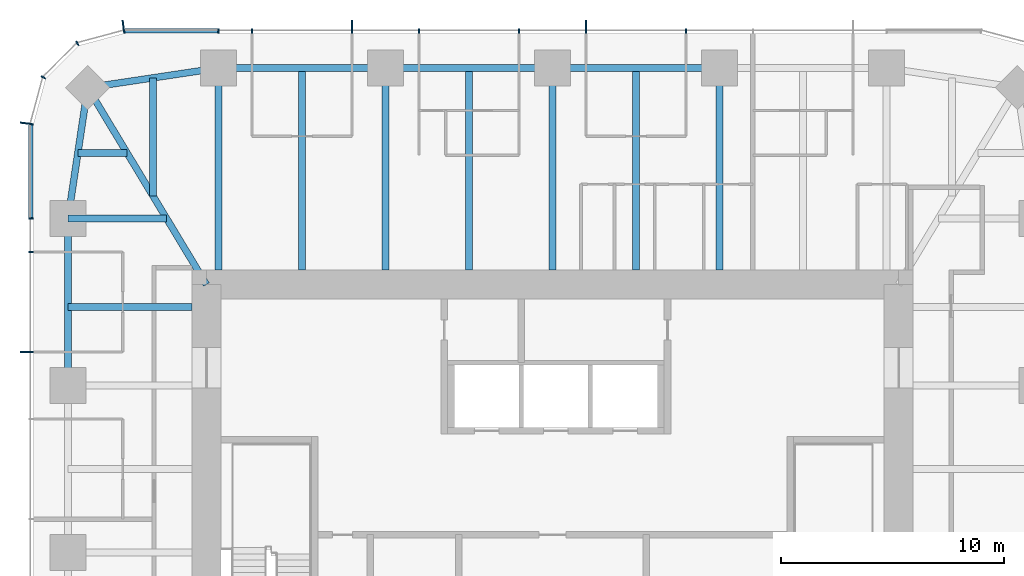
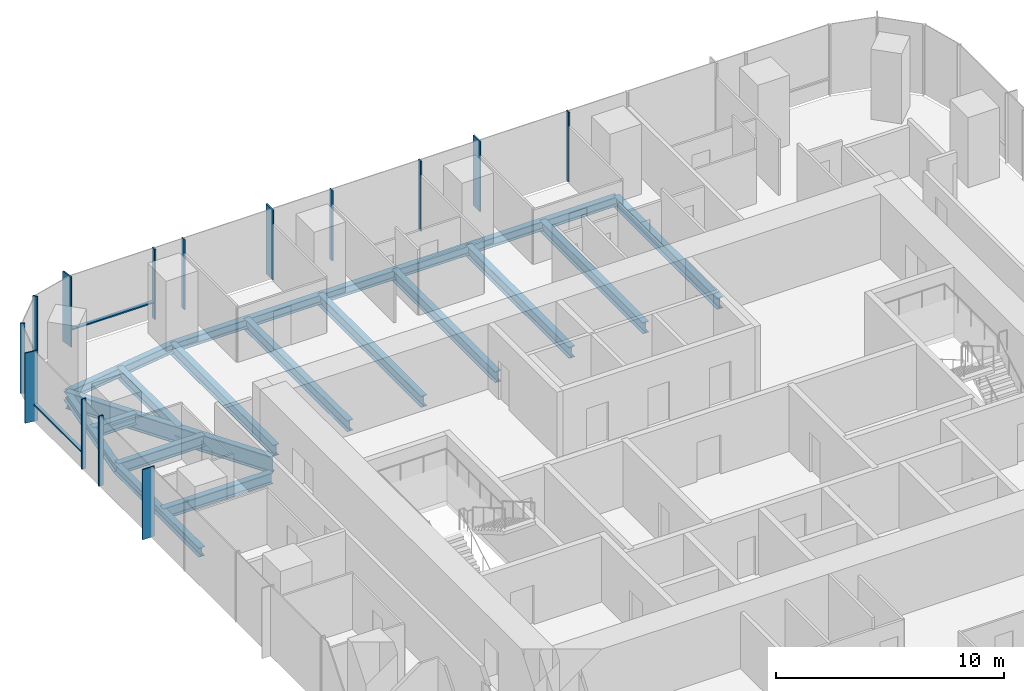
# One storey, part 5 of 12: 18 beams, 16 members, 3 elements without a shape of their own.
"""IFC4 building model written with IfcOpenShell, lengths in metres."""

from ifc_helpers import new_model, si_unit, direction, frame, origin, origin_2d, place, context, subcontext, project, spatial, rectangle, i_section, extrude, material, material_profile, profile_set, type_object, element, aggregate, save


model = new_model("IFC4")

# Units and contexts
model_context = context("Model", 3, precision=1e-05, world=origin(), true_north=direction((0.0, 1.0)))
body_context = subcontext(model_context, "Body", "Model", "MODEL_VIEW")
ifc_project = project(units=[si_unit("LENGTHUNIT", "METRE"), si_unit("AREAUNIT", "SQUARE_METRE"), si_unit("VOLUMEUNIT", "CUBIC_METRE"), si_unit("PLANEANGLEUNIT", "RADIAN"), si_unit("MASSUNIT", "GRAM", prefix="KILO")], contexts=[model_context])

# Site, building, storey
site_placement = place(None, origin())
site = spatial("IfcSite", under=ifc_project, at=site_placement, CompositionType="ELEMENT")
building_placement = place(site_placement, origin())
building = spatial("IfcBuilding", under=site, at=building_placement, Name="Khuree Lantern Residences", CompositionType="ELEMENT")
storey_placement = place(building_placement, frame((0.0, 0.0, 319.5)))
storey = spatial("IfcBuildingStorey", under=building, at=storey_placement, Name="L80", CompositionType="ELEMENT", Elevation=319.5)

# Beams
ifc_material_1 = material(Name="Steel S355", Category="steel")
ifc_material_profile_1 = material_profile(ifc_material_1, i_section(OverallWidth=0.300048828125, OverallDepth=0.590087890625, WebThickness=0.012939453125, FlangeThickness=0.02490234375, FilletRadius=0.027099609375, at=origin_2d()), Name="HE 600 A")
ifc_profile_set_1 = profile_set([ifc_material_profile_1], Name="Steel S355")
beam_type_1 = type_object("IfcBeamType", Name="B-43 SECONDARY BEAM HE 600 A", PredefinedType="BEAM", material=ifc_profile_set_1)
for number, where, z_axis, x_axis, name in (
    (1, (-11.219970703125, 21.699951171875, -0.544921875), (0.0, -1.0, 0.0), (1.0, 0.0, 0.0), "Secondary beam N1"),
    (2, (-3.739990234375, 21.699951171875, -0.544921875), (0.0, -1.0, 0.0), (1.0, 0.0, 0.0), "Secondary beam N2"),
    (3, (3.739990234375, 21.699951171875, -0.544921875), (0.0, -1.0, 0.0), (1.0, 0.0, 0.0), "Secondary beam N3"),
):
    element("IfcBeam", number, at=place(storey_placement, frame(where, z_axis=z_axis, x_axis=x_axis)), inside=storey, type_object=beam_type_1, Name=name, PredefinedType="BEAM", context=body_context, shape_type="SweptSolid", body=[
        extrude(i_section(OverallWidth=0.300048828125, OverallDepth=0.590087890625, WebThickness=0.012939453125, FlangeThickness=0.02490234375, FilletRadius=0.027099609375, at=origin_2d()), origin(), (0.0, 0.0, 1.0), 9.050048828125),
    ])
beam_1_placement = place(storey_placement, frame((-21.699951171875, 11.0, -0.544921875), z_axis=(1.0, 0.0, 0.0), x_axis=(0.0, 1.0, 0.0)))
element("IfcBeam", 4, at=beam_1_placement, inside=storey, type_object=beam_type_1, Name="Secondary beam W5", PredefinedType="BEAM", context=body_context, shape_type="SweptSolid", body=[
    extrude(i_section(OverallWidth=0.300048828125, OverallDepth=0.590087890625, WebThickness=0.012939453125, FlangeThickness=0.02490234375, FilletRadius=0.027099609375, at=origin_2d()), origin(), (0.0, 0.0, 1.0), 5.550048828125),
])
beam_2_placement = place(storey_placement, frame((-21.2607421875, 17.890625, -0.544921875), z_axis=(1.0, 0.0, 0.0), x_axis=(0.0, 1.0, 0.0)))
element("IfcBeam", 5, at=beam_2_placement, inside=storey, type_object=beam_type_1, Name="Secondary beam W6", PredefinedType="BEAM", context=body_context, shape_type="SweptSolid", body=[
    extrude(i_section(OverallWidth=0.300048828125, OverallDepth=0.590087890625, WebThickness=0.012939453125, FlangeThickness=0.02490234375, FilletRadius=0.027099609375, at=origin_2d()), origin(), (0.0, 0.0, 1.0), 2.207275390625),
])
beam_3_placement = place(storey_placement, frame((-17.890625, 21.2607421875, -0.544921875), z_axis=(0.0, -1.0, 0.0), x_axis=(1.0, 0.0, 0.0)))
element("IfcBeam", 6, at=beam_3_placement, inside=storey, type_object=beam_type_1, Name="Secondary beam N6", PredefinedType="BEAM", context=body_context, shape_type="SweptSolid", body=[
    extrude(i_section(OverallWidth=0.300048828125, OverallDepth=0.590087890625, WebThickness=0.012939453125, FlangeThickness=0.02490234375, FilletRadius=0.027099609375, at=origin_2d()), origin(), (0.0, 0.0, 1.0), 5.297607421875),
])
ifc_material_profile_2 = material_profile(ifc_material_1, i_section(OverallWidth=0.300048828125, OverallDepth=0.489990234375, WebThickness=0.011962890625, FlangeThickness=0.02294921875, FilletRadius=0.027099609375, at=origin_2d()), Name="HE 500 A")
ifc_profile_set_2 = profile_set([ifc_material_profile_2], Name="Steel S355")
beam_type_2 = type_object("IfcBeamType", Name="E-43 SPANDREL BEAM HE 500 A", PredefinedType="SPANDREL", material=ifc_profile_set_2)
for number, where, z_axis, x_axis, name in (
    (7, (-14.9599609375, 21.699951171875, -0.4951171875), (1.0, 0.0, 0.0), (0.0, 1.0, 0.0), "Spandrel beam N1"),
    (8, (-7.47998046875, 21.699951171875, -0.4951171875), (1.0, 0.0, 0.0), (0.0, 1.0, 0.0), "Spandrel beam N2"),
    (9, (0.0, 21.699951171875, -0.4951171875), (1.0, 0.0, 0.0), (0.0, 1.0, 0.0), "Spandrel beam N3"),
    (10, (-21.699951171875, 7.47998046875, -0.4951171875), (0.0, 1.0, 0.0), (-1.0, 0.0, 0.0), "Spandrel beam W5"),
):
    element("IfcBeam", number, at=place(storey_placement, frame(where, z_axis=z_axis, x_axis=x_axis)), inside=storey, type_object=beam_type_2, Name=name, PredefinedType="SPANDREL", context=body_context, shape_type="SweptSolid", body=[
        extrude(i_section(OverallWidth=0.300048828125, OverallDepth=0.489990234375, WebThickness=0.011962890625, FlangeThickness=0.02294921875, FilletRadius=0.027099609375, at=origin_2d()), origin(), (0.0, 0.0, 1.0), 7.47998046875),
    ])
for number, where, z_axis, x_axis, name in (
    (11, (-21.699951171875, 14.9599609375, -0.4951171875), (0.148251822985, 0.988949643299, 0.0), (-0.988949643299, 0.148251822985, 0.0), "Spandrel beam W6"),
    (12, (-20.8212890625, 20.8212890625, -0.4951171875), (0.988949643299, 0.148251822985, 0.0), (-0.148251822985, 0.988949643299, 0.0), "Spandrel beam N6"),
):
    element("IfcBeam", number, at=place(storey_placement, frame(where, z_axis=z_axis, x_axis=x_axis)), inside=storey, type_object=beam_type_2, Name=name, PredefinedType="SPANDREL", context=body_context, shape_type="SweptSolid", body=[
        extrude(i_section(OverallWidth=0.300048828125, OverallDepth=0.489990234375, WebThickness=0.011962890625, FlangeThickness=0.02294921875, FilletRadius=0.027099609375, at=origin_2d()), origin(), (0.0, 0.0, 1.0), 5.9267578125),
    ])

# Curtain wall, members
ifc_material_2 = material(Name="Bronze anodised aluminium", Category="aluminium")
curtain_wall_type_1 = type_object("IfcCurtainWallType", Name="CW-T1 TOWER FACE CURTAIN WALL", PredefinedType="USERDEFINED", material=ifc_material_2)
curtain_wall_1_placement = place(storey_placement, origin())
curtain_wall_1 = element("IfcCurtainWall", 13, at=curtain_wall_1_placement, inside=storey, type_object=curtain_wall_type_1, Name="L80 NORTH FACE CURTAIN WALL", ObjectType="Stick-built curtain wall", PredefinedType="USERDEFINED")
ifc_material_profile_3 = material_profile(ifc_material_2, rectangle(XDim=0.06494140625, YDim=0.60009765625, at=origin_2d()), Name="F1 65X600")
ifc_profile_set_3 = profile_set([ifc_material_profile_3], Name="Bronze anodised aluminium")
member_type_1 = type_object("IfcMemberType", Name="F1 BRONZE FIN MULLION TOWER 65X600", PredefinedType="MULLION", material=ifc_profile_set_3)
member_1_placement = place(storey_placement, frame((1.49609375, 23.550048828125, 0.0), z_axis=(0.0, 0.0, 1.0), x_axis=(-1.0, 0.0, 0.0)))
member_1 = element("IfcMember", 14, at=member_1_placement, type_object=member_type_1, Name="L80 NORTH FACE FIN MULLION 23", PredefinedType="MULLION", context=body_context, shape_type="SweptSolid", body=[
    extrude(rectangle(XDim=0.06494140625, YDim=0.60009765625, at=origin_2d()), origin(), (0.0, 0.0, 1.0), 3.75),
])
member_2_placement = place(storey_placement, frame((-8.97607421875, 23.550048828125, 0.0), z_axis=(0.0, 0.0, 1.0), x_axis=(-1.0, 0.0, 0.0)))
member_2 = element("IfcMember", 15, at=member_2_placement, type_object=member_type_1, Name="L80 NORTH FACE FIN MULLION 26", PredefinedType="MULLION", context=body_context, shape_type="SweptSolid", body=[
    extrude(rectangle(XDim=0.06494140625, YDim=0.60009765625, at=origin_2d()), origin(), (0.0, 0.0, 1.0), 3.75),
])

# Curtain wall, member
curtain_wall_type_2 = type_object("IfcCurtainWallType", Name="CW-T2 TOWER CORNER CURTAIN WALL", PredefinedType="USERDEFINED", material=ifc_material_2)
curtain_wall_2_placement = place(storey_placement, origin())
curtain_wall_2 = element("IfcCurtainWall", 16, at=curtain_wall_2_placement, inside=storey, type_object=curtain_wall_type_2, Name="L80 NORTH-WEST CORNER CURTAIN WALL", ObjectType="Faceted corner curtain wall", PredefinedType="USERDEFINED")
member_3_placement = place(storey_placement, frame((-19.2197265625, 23.550048828125, 0.0), z_axis=(0.0, 0.0, 1.0), x_axis=(-0.991444870192, -0.130526125236, 0.0)))
member_3 = element("IfcMember", 17, at=member_3_placement, type_object=member_type_1, Name="L80 NORTH-WEST CORNER FIN MULLION 29", PredefinedType="MULLION", context=body_context, shape_type="SweptSolid", body=[
    extrude(rectangle(XDim=0.06494140625, YDim=0.60009765625, at=origin_2d()), origin(), (0.0, 0.0, 1.0), 3.75),
])

# Curtain wall, members
curtain_wall_3_placement = place(storey_placement, origin())
curtain_wall_3 = element("IfcCurtainWall", 18, at=curtain_wall_3_placement, inside=storey, type_object=curtain_wall_type_1, Name="L80 WEST FACE CURTAIN WALL", ObjectType="Stick-built curtain wall", PredefinedType="USERDEFINED")
member_4_placement = place(storey_placement, frame((-23.550048828125, 19.2197265625, 0.0), z_axis=(0.0, 0.0, 1.0), x_axis=(-0.130526125236, -0.991444870192, 0.0)))
member_4 = element("IfcMember", 19, at=member_4_placement, type_object=member_type_1, Name="L80 WEST FACE FIN MULLION 32", PredefinedType="MULLION", context=body_context, shape_type="SweptSolid", body=[
    extrude(rectangle(XDim=0.06494140625, YDim=0.60009765625, at=origin_2d()), origin(), (0.0, 0.0, 1.0), 3.75),
])
member_5_placement = place(storey_placement, frame((-23.550048828125, 8.97607421875, 0.0), z_axis=(0.0, 0.0, 1.0), x_axis=(0.0, -1.0, 0.0)))
member_5 = element("IfcMember", 20, at=member_5_placement, type_object=member_type_1, Name="L80 WEST FACE FIN MULLION 35", PredefinedType="MULLION", context=body_context, shape_type="SweptSolid", body=[
    extrude(rectangle(XDim=0.06494140625, YDim=0.60009765625, at=origin_2d()), origin(), (0.0, 0.0, 1.0), 3.75),
])

# Beams
ifc_material_profile_4 = material_profile(ifc_material_1, i_section(OverallWidth=0.300048828125, OverallDepth=0.60009765625, WebThickness=0.015380859375, FlangeThickness=0.030029296875, FilletRadius=0.027099609375, at=origin_2d()), Name="HE 600 B")
ifc_profile_set_4 = profile_set([ifc_material_profile_4], Name="Steel S355")
beam_type_3 = type_object("IfcBeamType", Name="G-43 GIRDER HE 600 B", PredefinedType="BEAM", material=ifc_profile_set_4)
for number, where, z_axis, x_axis, name in (
    (21, (-14.9599609375, 21.699951171875, -0.550048828125), (0.0, -1.0, 0.0), (1.0, 0.0, 0.0), "Girder N1"),
    (22, (-7.47998046875, 21.699951171875, -0.550048828125), (0.0, -1.0, 0.0), (1.0, 0.0, 0.0), "Girder N2"),
    (23, (0.0, 21.699951171875, -0.550048828125), (0.0, -1.0, 0.0), (1.0, 0.0, 0.0), "Girder N3"),
    (24, (7.47998046875, 21.699951171875, -0.550048828125), (0.0, -1.0, 0.0), (1.0, 0.0, 0.0), "Girder N4"),
):
    element("IfcBeam", number, at=place(storey_placement, frame(where, z_axis=z_axis, x_axis=x_axis)), inside=storey, type_object=beam_type_3, Name=name, PredefinedType="BEAM", context=body_context, shape_type="SweptSolid", body=[
        extrude(i_section(OverallWidth=0.300048828125, OverallDepth=0.60009765625, WebThickness=0.015380859375, FlangeThickness=0.030029296875, FilletRadius=0.027099609375, at=origin_2d()), origin(), (0.0, 0.0, 1.0), 9.050048828125),
    ])
beam_4_placement = place(storey_placement, frame((-21.699951171875, 14.9599609375, -0.550048828125), z_axis=(1.0, 0.0, 0.0), x_axis=(0.0, 1.0, 0.0)))
element("IfcBeam", 25, at=beam_4_placement, inside=storey, type_object=beam_type_3, Name="Girder W5", PredefinedType="BEAM", context=body_context, shape_type="SweptSolid", body=[
    extrude(i_section(OverallWidth=0.300048828125, OverallDepth=0.60009765625, WebThickness=0.015380859375, FlangeThickness=0.030029296875, FilletRadius=0.027099609375, at=origin_2d()), origin(), (0.0, 0.0, 1.0), 4.414306640625),
])
ifc_material_profile_5 = material_profile(ifc_material_1, i_section(OverallWidth=0.300048828125, OverallDepth=0.89990234375, WebThickness=0.0185546875, FlangeThickness=0.034912109375, FilletRadius=0.030029296875, at=origin_2d()), Name="HE 900 B")
ifc_profile_set_5 = profile_set([ifc_material_profile_5], Name="Steel S355")
beam_type_4 = type_object("IfcBeamType", Name="GD-43 CORNER GIRDER HE 900 B", PredefinedType="BEAM", material=ifc_profile_set_5)
beam_5_placement = place(storey_placement, frame((-20.8212890625, 20.8212890625, -0.699951171875), z_axis=(0.516529577604, -0.856269347495, 0.0), x_axis=(0.856269347495, 0.516529577604, 0.0)))
element("IfcBeam", 26, at=beam_5_placement, inside=storey, type_object=beam_type_4, Name="Corner girder NW", PredefinedType="BEAM", context=body_context, shape_type="SweptSolid", body=[
    extrude(i_section(OverallWidth=0.300048828125, OverallDepth=0.89990234375, WebThickness=0.0185546875, FlangeThickness=0.034912109375, FilletRadius=0.030029296875, at=origin_2d()), origin(), (0.0, 0.0, 1.0), 10.302001953125),
])

# Member
ifc_material_profile_6 = material_profile(ifc_material_2, rectangle(XDim=0.06494140625, YDim=0.219970703125, at=origin_2d()), Name="M1 65X220")
ifc_profile_set_6 = profile_set([ifc_material_profile_6], Name="Bronze anodised aluminium")
member_type_2 = type_object("IfcMemberType", Name="M1 BRONZE MULLION TOWER 65X220", PredefinedType="MULLION", material=ifc_profile_set_6)
member_6_placement = place(storey_placement, frame((5.98388671875, 23.360107421875, 0.0), z_axis=(0.0, 0.0, 1.0), x_axis=(-1.0, 0.0, 0.0)))
member_6 = element("IfcMember", 27, at=member_6_placement, type_object=member_type_2, Name="L80 NORTH FACE MULLION 22", PredefinedType="MULLION", context=body_context, shape_type="SweptSolid", body=[
    extrude(rectangle(XDim=0.06494140625, YDim=0.219970703125, at=origin_2d()), origin(), (0.0, 0.0, 1.0), 3.75),
])

member_7_placement = place(storey_placement, frame((-1.49609375, 23.360107421875, 0.0), z_axis=(0.0, 0.0, 1.0), x_axis=(-1.0, 0.0, 0.0)))
member_7 = element("IfcMember", 28, at=member_7_placement, type_object=member_type_2, Name="L80 NORTH FACE MULLION 24", PredefinedType="MULLION", context=body_context, shape_type="SweptSolid", body=[
    extrude(rectangle(XDim=0.06494140625, YDim=0.219970703125, at=origin_2d()), origin(), (0.0, 0.0, 1.0), 3.75),
])

member_8_placement = place(storey_placement, frame((-5.98388671875, 23.360107421875, 0.0), z_axis=(0.0, 0.0, 1.0), x_axis=(-1.0, 0.0, 0.0)))
member_8 = element("IfcMember", 29, at=member_8_placement, type_object=member_type_2, Name="L80 NORTH FACE MULLION 25", PredefinedType="MULLION", context=body_context, shape_type="SweptSolid", body=[
    extrude(rectangle(XDim=0.06494140625, YDim=0.219970703125, at=origin_2d()), origin(), (0.0, 0.0, 1.0), 3.75),
])

member_9_placement = place(storey_placement, frame((-13.464111328125, 23.360107421875, 0.0), z_axis=(0.0, 0.0, 1.0), x_axis=(-1.0, 0.0, 0.0)))
member_9 = element("IfcMember", 30, at=member_9_placement, type_object=member_type_2, Name="L80 NORTH FACE MULLION 27", PredefinedType="MULLION", context=body_context, shape_type="SweptSolid", body=[
    extrude(rectangle(XDim=0.06494140625, YDim=0.219970703125, at=origin_2d()), origin(), (0.0, 0.0, 1.0), 3.75),
])

member_10_placement = place(storey_placement, frame((-14.9599609375, 23.360107421875, 0.0), z_axis=(0.0, 0.0, 1.0), x_axis=(-1.0, 0.0, 0.0)))
member_10 = element("IfcMember", 31, at=member_10_placement, type_object=member_type_2, Name="L80 NORTH FACE MULLION 28", PredefinedType="MULLION", context=body_context, shape_type="SweptSolid", body=[
    extrude(rectangle(XDim=0.06494140625, YDim=0.219970703125, at=origin_2d()), origin(), (0.0, 0.0, 1.0), 3.75),
])

member_11_placement = place(storey_placement, frame((-21.280029296875, 22.802734375, 0.0), z_axis=(0.0, 0.0, 1.0), x_axis=(-0.866025437565, -0.49999994149, 0.0)))
member_11 = element("IfcMember", 32, at=member_11_placement, type_object=member_type_2, Name="L80 NORTH-WEST CORNER MULLION 30", PredefinedType="MULLION", context=body_context, shape_type="SweptSolid", body=[
    extrude(rectangle(XDim=0.06494140625, YDim=0.219970703125, at=origin_2d()), origin(), (0.0, 0.0, 1.0), 3.75),
])

member_12_placement = place(storey_placement, frame((-22.802734375, 21.280029296875, 0.0), z_axis=(0.0, 0.0, 1.0), x_axis=(-0.49999994149, -0.866025437565, 0.0)))
member_12 = element("IfcMember", 33, at=member_12_placement, type_object=member_type_2, Name="L80 NORTH-WEST CORNER MULLION 31", PredefinedType="MULLION", context=body_context, shape_type="SweptSolid", body=[
    extrude(rectangle(XDim=0.06494140625, YDim=0.219970703125, at=origin_2d()), origin(), (0.0, 0.0, 1.0), 3.75),
])

aggregate(curtain_wall_2, [member_3, member_11, member_12])

member_13_placement = place(storey_placement, frame((-23.360107421875, 14.9599609375, 0.0), z_axis=(0.0, 0.0, 1.0), x_axis=(0.0, -1.0, 0.0)))
member_13 = element("IfcMember", 34, at=member_13_placement, type_object=member_type_2, Name="L80 WEST FACE MULLION 33", PredefinedType="MULLION", context=body_context, shape_type="SweptSolid", body=[
    extrude(rectangle(XDim=0.06494140625, YDim=0.219970703125, at=origin_2d()), origin(), (0.0, 0.0, 1.0), 3.75),
])

member_14_placement = place(storey_placement, frame((-23.360107421875, 13.464111328125, 0.0), z_axis=(0.0, 0.0, 1.0), x_axis=(0.0, -1.0, 0.0)))
member_14 = element("IfcMember", 35, at=member_14_placement, type_object=member_type_2, Name="L80 WEST FACE MULLION 34", PredefinedType="MULLION", context=body_context, shape_type="SweptSolid", body=[
    extrude(rectangle(XDim=0.06494140625, YDim=0.219970703125, at=origin_2d()), origin(), (0.0, 0.0, 1.0), 3.75),
])

ifc_material_profile_7 = material_profile(ifc_material_2, rectangle(XDim=0.179931640625, YDim=0.06494140625, at=origin_2d()), Name="T1 180X65")
ifc_profile_set_7 = profile_set([ifc_material_profile_7], Name="Bronze anodised aluminium")
member_type_3 = type_object("IfcMemberType", Name="TRANSOM T1 TOWER 180X65", PredefinedType="USERDEFINED", material=ifc_profile_set_7)
member_15_placement = place(storey_placement, frame((-14.992431640625, 23.3701171875, 0.89990234375), z_axis=(-1.0, 0.0, 0.0), x_axis=(0.0, -1.0, 0.0)))
member_15 = element("IfcMember", 36, at=member_15_placement, type_object=member_type_3, Name="L80 NORTH FACE TRANSOM 28.1", ObjectType="Transom", PredefinedType="USERDEFINED", context=body_context, shape_type="SweptSolid", body=[
    extrude(rectangle(XDim=0.179931640625, YDim=0.06494140625, at=origin_2d()), origin(), (0.0, 0.0, 1.0), 4.158935546875),
])

aggregate(curtain_wall_1, [member_6, member_1, member_7, member_8, member_2, member_9, member_10, member_15])

member_16_placement = place(storey_placement, frame((-23.3701171875, 19.1513671875, 0.89990234375), z_axis=(0.0, -1.0, 0.0), x_axis=(1.0, 0.0, 0.0)))
member_16 = element("IfcMember", 37, at=member_16_placement, type_object=member_type_3, Name="L80 WEST FACE TRANSOM 32.1", ObjectType="Transom", PredefinedType="USERDEFINED", context=body_context, shape_type="SweptSolid", body=[
    extrude(rectangle(XDim=0.179931640625, YDim=0.06494140625, at=origin_2d()), origin(), (0.0, 0.0, 1.0), 4.158935546875),
])

aggregate(curtain_wall_3, [member_4, member_13, member_14, member_5, member_16])

save(model, "model.ifc")
